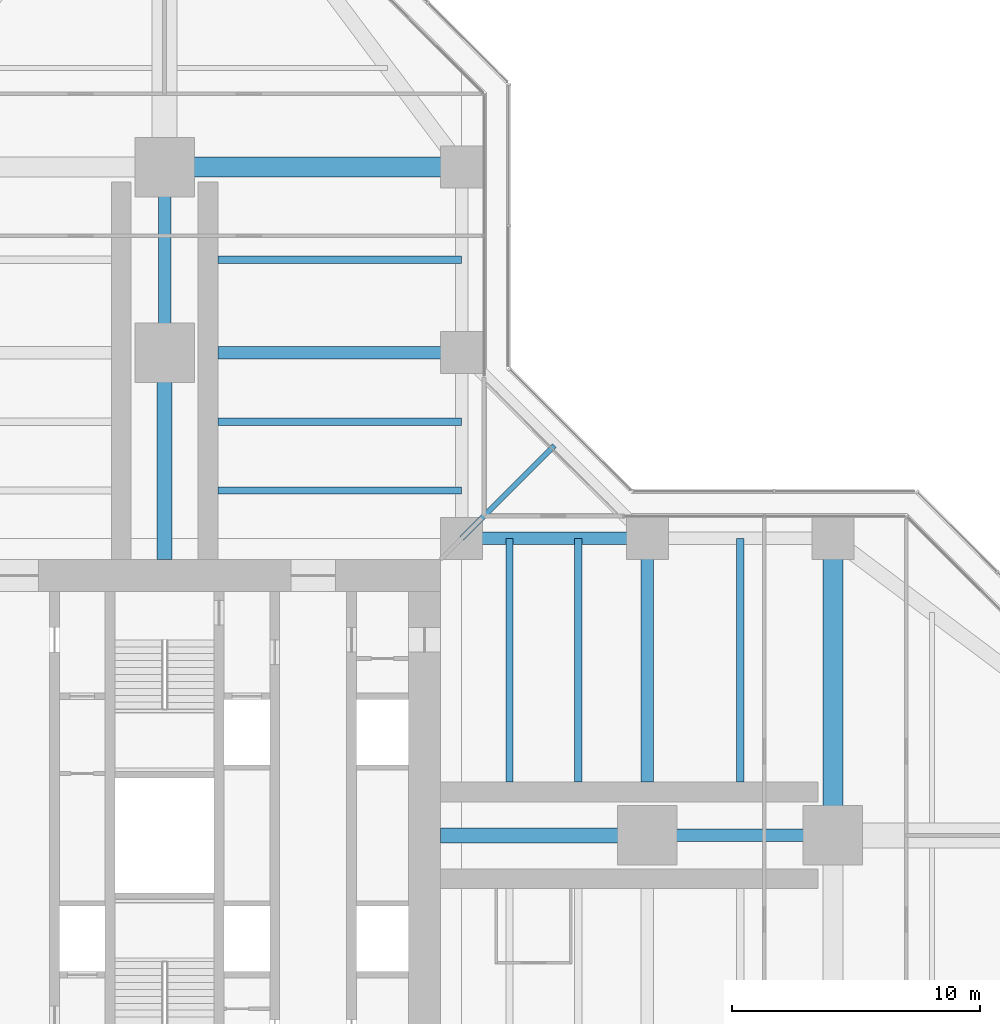
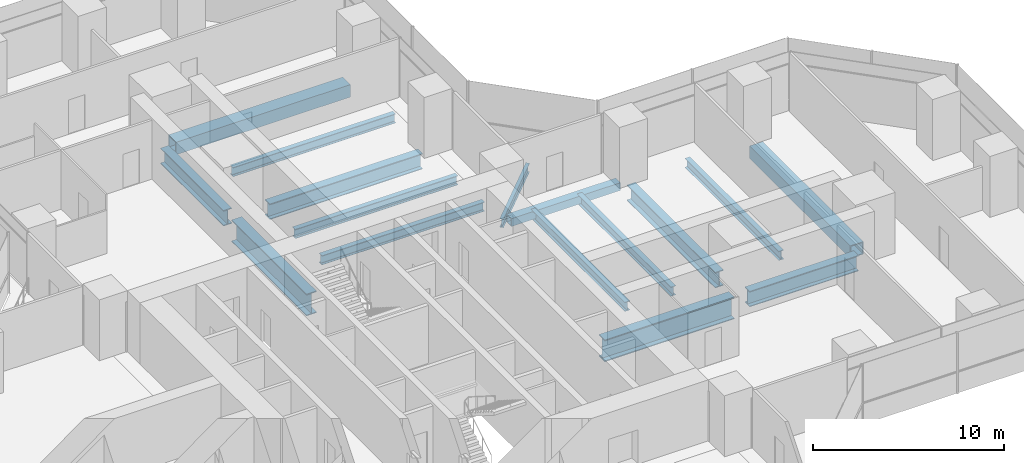
# One storey, part 10 of 22: 16 beams.
"""IFC4 building model written with IfcOpenShell, lengths in metres."""

from ifc_helpers import new_model, si_unit, direction, frame, origin, origin_2d, place, context, subcontext, project, spatial, hollow_rectangle, i_section, extrude, material, material_profile, profile_set, type_object, element, save


model = new_model("IFC4")

# Units and contexts
model_context = context("Model", 3, precision=1e-05, world=origin(), true_north=direction((0.0, 1.0)))
body_context = subcontext(model_context, "Body", "Model", "MODEL_VIEW")
ifc_project = project(units=[si_unit("LENGTHUNIT", "METRE"), si_unit("AREAUNIT", "SQUARE_METRE"), si_unit("VOLUMEUNIT", "CUBIC_METRE"), si_unit("PLANEANGLEUNIT", "RADIAN"), si_unit("MASSUNIT", "GRAM", prefix="KILO")], contexts=[model_context])

# Site, building, storey
site_placement = place(None, origin())
site = spatial("IfcSite", under=ifc_project, at=site_placement, CompositionType="ELEMENT")
building_placement = place(site_placement, origin())
building = spatial("IfcBuilding", under=site, at=building_placement, Name="Mizan Broadcast Tower", CompositionType="ELEMENT")
storey_placement = place(building_placement, frame((0.0, 0.0, 105.89990234375)))
storey = spatial("IfcBuildingStorey", under=building, at=storey_placement, Name="L23", CompositionType="ELEMENT", Elevation=105.89990234375)

# Beams
ifc_material_1 = material(Name="Steel S355", Category="steel")
ifc_material_profile_1 = material_profile(ifc_material_1, hollow_rectangle(XDim=0.5, YDim=0.5, WallThickness=0.030029296875, at=origin_2d()), Name="BOX 500x500x30")
ifc_profile_set_1 = profile_set([ifc_material_profile_1], Name="Steel S355")
beam_type_1 = type_object("IfcBeamType", Name="EDGE BEAM BOX 500x500x30", PredefinedType="SPANDREL", material=ifc_profile_set_1)
beam_1_placement = place(storey_placement, frame((12.449951171875, 12.0, -0.3798828125), z_axis=(1.0, 0.0, 0.0), x_axis=(0.0, 1.0, 0.0)))
element("IfcBeam", 1, at=beam_1_placement, inside=storey, type_object=beam_type_1, Name="Edge beam BOX 500x500x30 L23 east arm", PredefinedType="SPANDREL", context=body_context, shape_type="SweptSolid", body=[
    extrude(hollow_rectangle(XDim=0.5, YDim=0.5, WallThickness=0.030029296875, at=origin_2d()), origin(), (0.0, 0.0, 1.0), 6.60009765625),
])
ifc_material_2 = material(Name="Steel S460", Category="steel")
ifc_material_profile_2 = material_profile(ifc_material_2, hollow_rectangle(XDim=0.800048828125, YDim=0.800048828125, WallThickness=0.050048828125, at=origin_2d()), Name="BOX 800x800x50")
ifc_profile_set_2 = profile_set([ifc_material_profile_2], Name="Steel S460")
beam_type_2 = type_object("IfcBeamType", Name="GIRDER BOX 800x800x50", PredefinedType="BEAM", material=ifc_profile_set_2)
for number, where, z_axis, x_axis, name in (
    (2, (27.0, 11.280029296875, -0.52978515625), (0.0, -1.0, 0.0), (1.0, 0.0, 0.0), "Girder BOX 800x800x50 L23 east arm"),
    (3, (11.280029296875, 27.0, -0.52978515625), (-1.0, 0.0, 0.0), (0.0, -1.0, 0.0), "Girder BOX 800x800x50 L23 north arm"),
):
    element("IfcBeam", number, at=place(storey_placement, frame(where, z_axis=z_axis, x_axis=x_axis)), inside=storey, type_object=beam_type_2, Name=name, PredefinedType="BEAM", context=body_context, shape_type="SweptSolid", body=[
        extrude(hollow_rectangle(XDim=0.800048828125, YDim=0.800048828125, WallThickness=0.050048828125, at=origin_2d()), origin(), (0.0, 0.0, 1.0), 10.56005859375),
    ])
ifc_material_3 = material(Name="Steel S460", Category="steel")
ifc_material_profile_3 = material_profile(ifc_material_3, i_section(OverallWidth=0.5, OverallDepth=1.0, WebThickness=0.02490234375, FlangeThickness=0.050048828125, at=origin_2d()), Name="WPG 1000x500")
ifc_profile_set_3 = profile_set([ifc_material_profile_3], Name="Steel S460")
beam_type_3 = type_object("IfcBeamType", Name="GIRDER WPG 1000x500", PredefinedType="BEAM", material=ifc_profile_set_3)
beam_2_placement = place(storey_placement, frame((19.949951171875, 0.0, -0.6298828125), z_axis=(1.0, 0.0, 0.0), x_axis=(0.0, 1.0, 0.0)))
element("IfcBeam", 4, at=beam_2_placement, inside=storey, type_object=beam_type_3, Name="Girder WPG 1000x500 L23 east arm", PredefinedType="BEAM", context=body_context, shape_type="SweptSolid", body=[
    extrude(i_section(OverallWidth=0.5, OverallDepth=1.0, WebThickness=0.02490234375, FlangeThickness=0.050048828125, at=origin_2d()), origin(), (0.0, 0.0, 1.0), 6.60009765625),
])
beam_3_placement = place(storey_placement, frame((19.5, 11.408935546875, -0.6298828125), z_axis=(0.0, -1.0, 0.0), x_axis=(1.0, 0.0, 0.0)))
element("IfcBeam", 5, at=beam_3_placement, inside=storey, type_object=beam_type_3, Name="Girder WPG 1000x500 L23 east arm", PredefinedType="BEAM", context=body_context, shape_type="SweptSolid", body=[
    extrude(i_section(OverallWidth=0.5, OverallDepth=1.0, WebThickness=0.02490234375, FlangeThickness=0.050048828125, at=origin_2d()), origin(), (0.0, 0.0, 1.0), 9.259033203125),
])
beam_4_placement = place(storey_placement, frame((0.0, 19.949951171875, -0.6298828125), z_axis=(0.0, 1.0, 0.0), x_axis=(-1.0, 0.0, 0.0)))
element("IfcBeam", 6, at=beam_4_placement, inside=storey, type_object=beam_type_3, Name="Girder WPG 1000x500 L23 north arm", PredefinedType="BEAM", context=body_context, shape_type="SweptSolid", body=[
    extrude(i_section(OverallWidth=0.5, OverallDepth=1.0, WebThickness=0.02490234375, FlangeThickness=0.050048828125, at=origin_2d()), origin(), (0.0, 0.0, 1.0), 6.60009765625),
])
beam_5_placement = place(storey_placement, frame((11.408935546875, 19.5, -0.6298828125), z_axis=(-1.0, 0.0, 0.0), x_axis=(0.0, -1.0, 0.0)))
element("IfcBeam", 7, at=beam_5_placement, inside=storey, type_object=beam_type_3, Name="Girder WPG 1000x500 L23 north arm", PredefinedType="BEAM", context=body_context, shape_type="SweptSolid", body=[
    extrude(i_section(OverallWidth=0.5, OverallDepth=1.0, WebThickness=0.02490234375, FlangeThickness=0.050048828125, at=origin_2d()), origin(), (0.0, 0.0, 1.0), 9.259033203125),
])
ifc_material_4 = material(Name="Steel S460", Category="steel")
ifc_material_profile_4 = material_profile(ifc_material_4, i_section(OverallWidth=0.60009765625, OverallDepth=1.39990234375, WebThickness=0.02490234375, FlangeThickness=0.06005859375, at=origin_2d()), Name="WPG 1400x600")
ifc_profile_set_4 = profile_set([ifc_material_profile_4], Name="Steel S460")
beam_type_4 = type_object("IfcBeamType", Name="GIRDER WPG 1400x600", PredefinedType="BEAM", material=ifc_profile_set_4)
for number, where, z_axis, x_axis, name in (
    (8, (11.14990234375, 0.0, -0.829833984375), (1.0, 0.0, 0.0), (0.0, 1.0, 0.0), "Girder WPG 1400x600 L23 east arm"),
    (9, (0.0, 11.14990234375, -0.829833984375), (0.0, 1.0, 0.0), (-1.0, 0.0, 0.0), "Girder WPG 1400x600 L23 north arm"),
):
    element("IfcBeam", number, at=place(storey_placement, frame(where, z_axis=z_axis, x_axis=x_axis)), inside=storey, type_object=beam_type_4, Name=name, PredefinedType="BEAM", context=body_context, shape_type="SweptSolid", body=[
        extrude(i_section(OverallWidth=0.60009765625, OverallDepth=1.39990234375, WebThickness=0.02490234375, FlangeThickness=0.06005859375, at=origin_2d()), origin(), (0.0, 0.0, 1.0), 7.84912109375),
    ])
ifc_material_5 = material(Name="Steel S355", Category="steel")
ifc_material_profile_5 = material_profile(ifc_material_5, i_section(OverallWidth=0.300048828125, OverallDepth=0.590087890625, WebThickness=0.012939453125, FlangeThickness=0.02490234375, FilletRadius=0.027099609375, at=origin_2d()), Name="HEA 600")
ifc_profile_set_5 = profile_set([ifc_material_profile_5], Name="Steel S355")
beam_type_5 = type_object("IfcBeamType", Name="SECONDARY BEAM HEA 600", PredefinedType="JOIST", material=ifc_profile_set_5)
for number, where, z_axis, x_axis, name in (
    (10, (13.933349609375, 12.0, -0.4248046875), (0.0, -1.0, 0.0), (1.0, 0.0, 0.0), "Secondary beam HEA 600 L23 east arm"),
    (11, (16.716552734375, 12.0, -0.4248046875), (0.0, -1.0, 0.0), (1.0, 0.0, 0.0), "Secondary beam HEA 600 L23 east arm"),
    (12, (23.25, 12.0, -0.4248046875), (0.0, -1.0, 0.0), (1.0, 0.0, 0.0), "Secondary beam HEA 600 L23 east arm"),
    (13, (12.0, 13.933349609375, -0.4248046875), (-1.0, 0.0, 0.0), (0.0, -1.0, 0.0), "Secondary beam HEA 600 L23 north arm"),
    (14, (12.0, 16.716552734375, -0.4248046875), (-1.0, 0.0, 0.0), (0.0, -1.0, 0.0), "Secondary beam HEA 600 L23 north arm"),
    (15, (12.0, 23.25, -0.4248046875), (-1.0, 0.0, 0.0), (0.0, -1.0, 0.0), "Secondary beam HEA 600 L23 north arm"),
):
    element("IfcBeam", number, at=place(storey_placement, frame(where, z_axis=z_axis, x_axis=x_axis)), inside=storey, type_object=beam_type_5, Name=name, PredefinedType="JOIST", context=body_context, shape_type="SweptSolid", body=[
        extrude(i_section(OverallWidth=0.300048828125, OverallDepth=0.590087890625, WebThickness=0.012939453125, FlangeThickness=0.02490234375, FilletRadius=0.027099609375, at=origin_2d()), origin(), (0.0, 0.0, 1.0), 9.85009765625),
    ])
ifc_material_6 = material(Name="Steel S355", Category="steel")
ifc_material_profile_6 = material_profile(ifc_material_6, i_section(OverallWidth=0.2099609375, OverallDepth=0.550048828125, WebThickness=0.010986328125, FlangeThickness=0.01708984375, FilletRadius=0.02392578125, at=origin_2d()), Name="IPE 550")
ifc_profile_set_6 = profile_set([ifc_material_profile_6], Name="Steel S355")
beam_type_6 = type_object("IfcBeamType", Name="SECONDARY BEAM IPE 550", PredefinedType="JOIST", material=ifc_profile_set_6)
beam_6_placement = place(storey_placement, frame((12.0, 12.0, -0.40478515625), z_axis=(0.707106781187, 0.707106781187, 0.0), x_axis=(-0.707106781187, 0.707106781187, 0.0)))
element("IfcBeam", 16, at=beam_6_placement, inside=storey, type_object=beam_type_6, Name="Winter garden beam L23 E", PredefinedType="JOIST", context=body_context, shape_type="SweptSolid", body=[
    extrude(i_section(OverallWidth=0.2099609375, OverallDepth=0.550048828125, WebThickness=0.010986328125, FlangeThickness=0.01708984375, FilletRadius=0.02392578125, at=origin_2d()), origin(), (0.0, 0.0, 1.0), 5.30322265625),
])

save(model, "model.ifc")
